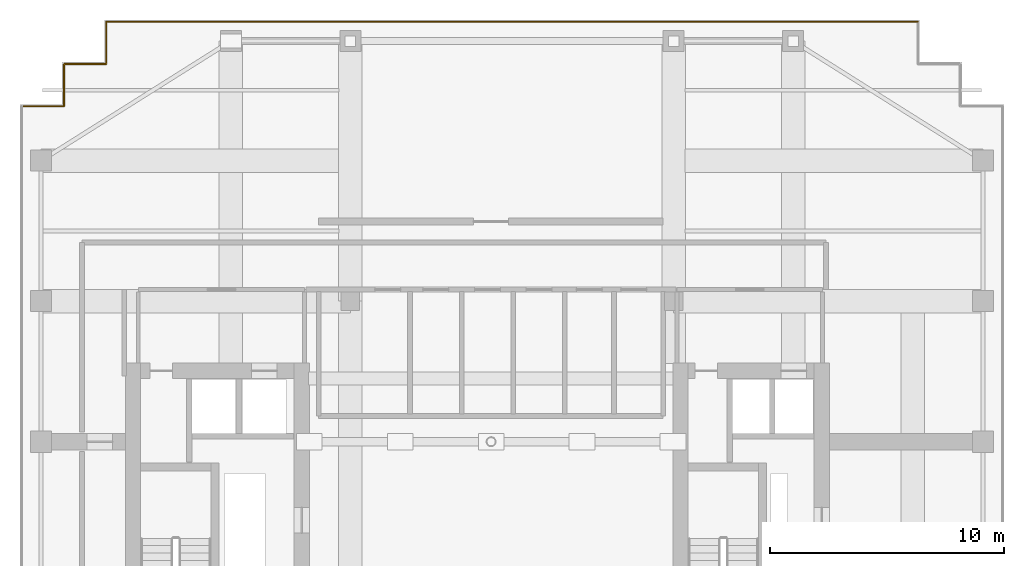
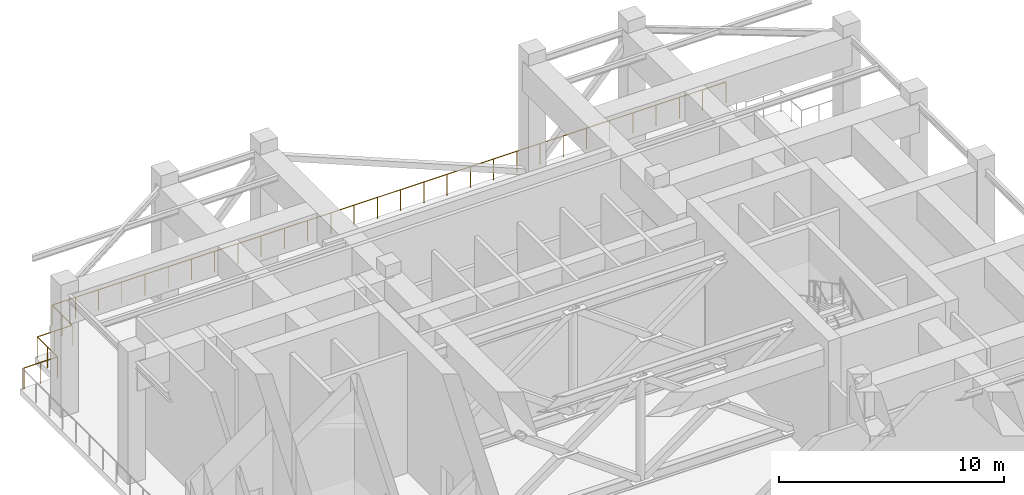
# One storey, part 9 of 9: 1 railing.
"""IFC4 building model written with IfcOpenShell, lengths in metres."""

from ifc_helpers import new_model, si_unit, direction, frame, origin, origin_2d, place, context, subcontext, project, spatial, circle, extrude, material, type_object, element, save


model = new_model("IFC4")

# Units and contexts
model_context = context("Model", 3, precision=1e-05, world=origin(), true_north=direction((0.0, 1.0)))
body_context = subcontext(model_context, "Body", "Model", "MODEL_VIEW")
ifc_project = project(units=[si_unit("LENGTHUNIT", "METRE"), si_unit("AREAUNIT", "SQUARE_METRE"), si_unit("VOLUMEUNIT", "CUBIC_METRE"), si_unit("PLANEANGLEUNIT", "RADIAN"), si_unit("MASSUNIT", "GRAM", prefix="KILO")], contexts=[model_context])

# Site, building, storey
site_placement = place(None, origin())
site = spatial("IfcSite", under=ifc_project, at=site_placement, CompositionType="ELEMENT")
building_placement = place(site_placement, origin())
building = spatial("IfcBuilding", under=site, at=building_placement, Name="Khoralis Quay Care Tower", CompositionType="ELEMENT")
storey_placement = place(building_placement, frame((0.0, 0.0, 220.5)))
storey = spatial("IfcBuildingStorey", under=building, at=storey_placement, Name="L58", CompositionType="ELEMENT", Elevation=220.5)

# Railing
ifc_material = material(Name="Pale anodised aluminium", Category="aluminium")
railing_type = type_object("IfcRailingType", Name="RL-BALUST-1150", PredefinedType="BALUSTRADE", material=ifc_material)
railing_placement = place(storey_placement, frame((41.320068359375, 41.919921875, 0.0)))
element("IfcRailing", 1, at=railing_placement, inside=storey, type_object=railing_type, Name="L58 Open Wind-Slot Portal Perimeter Guard 1.3", PredefinedType="BALUSTRADE", context=body_context, shape_type="SweptSolid", body=[
    extrude(circle(Radius=0.02392578125, at=origin_2d()), frame((0.0, 0.0, 1.1259765625), z_axis=(-1.0, 0.0, 0.0), x_axis=(0.0, -1.0, 0.0)), (0.0, 0.0, 1.0), 34.64013671875),
    extrude(circle(Radius=0.02392578125, at=origin_2d()), frame((-34.64013671875, 0.0, 1.1259765625), z_axis=(0.0, -1.0, 0.0), x_axis=(1.0, 0.0, 0.0)), (0.0, 0.0, 1.0), 1.7998046875),
    extrude(circle(Radius=0.02392578125, at=origin_2d()), frame((-34.64013671875, -1.7998046875, 1.1259765625), z_axis=(-1.0, 0.0, 0.0), x_axis=(0.0, -1.0, 0.0)), (0.0, 0.0, 1.0), 1.800048828125),
    extrude(circle(Radius=0.02392578125, at=origin_2d()), frame((-36.440185546875, -1.7998046875, 1.1259765625), z_axis=(0.0, -1.0, 0.0), x_axis=(1.0, 0.0, 0.0)), (0.0, 0.0, 1.0), 1.800048828125),
    extrude(circle(Radius=0.02392578125, at=origin_2d()), frame((-36.440185546875, -3.599853515625, 1.1259765625), z_axis=(-1.0, 0.0, 0.0), x_axis=(0.0, -1.0, 0.0)), (0.0, 0.0, 1.0), 1.719970703125),
    extrude(circle(Radius=0.02099609375, at=origin_2d()), origin(), (0.0, 0.0, 1.0), 1.101806640625),
    extrude(circle(Radius=0.02099609375, at=origin_2d()), frame((-1.194580078125, 0.0, 0.0)), (0.0, 0.0, 1.0), 1.101806640625),
    extrude(circle(Radius=0.02099609375, at=origin_2d()), frame((-2.388916015625, 0.0, 0.0)), (0.0, 0.0, 1.0), 1.101806640625),
    extrude(circle(Radius=0.02099609375, at=origin_2d()), frame((-3.58349609375, 0.0, 0.0)), (0.0, 0.0, 1.0), 1.101806640625),
    extrude(circle(Radius=0.02099609375, at=origin_2d()), frame((-4.77783203125, 0.0, 0.0)), (0.0, 0.0, 1.0), 1.101806640625),
    extrude(circle(Radius=0.02099609375, at=origin_2d()), frame((-5.972412109375, 0.0, 0.0)), (0.0, 0.0, 1.0), 1.101806640625),
    extrude(circle(Radius=0.02099609375, at=origin_2d()), frame((-7.1669921875, 0.0, 0.0)), (0.0, 0.0, 1.0), 1.101806640625),
    extrude(circle(Radius=0.02099609375, at=origin_2d()), frame((-8.361328125, 0.0, 0.0)), (0.0, 0.0, 1.0), 1.101806640625),
    extrude(circle(Radius=0.02099609375, at=origin_2d()), frame((-9.555908203125, 0.0, 0.0)), (0.0, 0.0, 1.0), 1.101806640625),
    extrude(circle(Radius=0.02099609375, at=origin_2d()), frame((-10.75048828125, 0.0, 0.0)), (0.0, 0.0, 1.0), 1.101806640625),
    extrude(circle(Radius=0.02099609375, at=origin_2d()), frame((-11.94482421875, 0.0, 0.0)), (0.0, 0.0, 1.0), 1.101806640625),
    extrude(circle(Radius=0.02099609375, at=origin_2d()), frame((-13.139404296875, 0.0, 0.0)), (0.0, 0.0, 1.0), 1.101806640625),
    extrude(circle(Radius=0.02099609375, at=origin_2d()), frame((-14.333740234375, 0.0, 0.0)), (0.0, 0.0, 1.0), 1.101806640625),
    extrude(circle(Radius=0.02099609375, at=origin_2d()), frame((-15.5283203125, 0.0, 0.0)), (0.0, 0.0, 1.0), 1.101806640625),
    extrude(circle(Radius=0.02099609375, at=origin_2d()), frame((-16.722900390625, 0.0, 0.0)), (0.0, 0.0, 1.0), 1.101806640625),
    extrude(circle(Radius=0.02099609375, at=origin_2d()), frame((-17.917236328125, 0.0, 0.0)), (0.0, 0.0, 1.0), 1.101806640625),
    extrude(circle(Radius=0.02099609375, at=origin_2d()), frame((-19.11181640625, 0.0, 0.0)), (0.0, 0.0, 1.0), 1.101806640625),
    extrude(circle(Radius=0.02099609375, at=origin_2d()), frame((-20.306396484375, 0.0, 0.0)), (0.0, 0.0, 1.0), 1.101806640625),
    extrude(circle(Radius=0.02099609375, at=origin_2d()), frame((-21.500732421875, 0.0, 0.0)), (0.0, 0.0, 1.0), 1.101806640625),
    extrude(circle(Radius=0.02099609375, at=origin_2d()), frame((-22.6953125, 0.0, 0.0)), (0.0, 0.0, 1.0), 1.101806640625),
    extrude(circle(Radius=0.02099609375, at=origin_2d()), frame((-23.8896484375, 0.0, 0.0)), (0.0, 0.0, 1.0), 1.101806640625),
    extrude(circle(Radius=0.02099609375, at=origin_2d()), frame((-25.084228515625, 0.0, 0.0)), (0.0, 0.0, 1.0), 1.101806640625),
    extrude(circle(Radius=0.02099609375, at=origin_2d()), frame((-26.27880859375, 0.0, 0.0)), (0.0, 0.0, 1.0), 1.101806640625),
    extrude(circle(Radius=0.02099609375, at=origin_2d()), frame((-27.47314453125, 0.0, 0.0)), (0.0, 0.0, 1.0), 1.101806640625),
    extrude(circle(Radius=0.02099609375, at=origin_2d()), frame((-28.667724609375, 0.0, 0.0)), (0.0, 0.0, 1.0), 1.101806640625),
    extrude(circle(Radius=0.02099609375, at=origin_2d()), frame((-29.8623046875, 0.0, 0.0)), (0.0, 0.0, 1.0), 1.101806640625),
    extrude(circle(Radius=0.02099609375, at=origin_2d()), frame((-31.056640625, 0.0, 0.0)), (0.0, 0.0, 1.0), 1.101806640625),
    extrude(circle(Radius=0.02099609375, at=origin_2d()), frame((-32.251220703125, 0.0, 0.0)), (0.0, 0.0, 1.0), 1.101806640625),
    extrude(circle(Radius=0.02099609375, at=origin_2d()), frame((-33.445556640625, 0.0, 0.0)), (0.0, 0.0, 1.0), 1.101806640625),
    extrude(circle(Radius=0.02099609375, at=origin_2d()), frame((-34.64013671875, 0.0, 0.0)), (0.0, 0.0, 1.0), 1.101806640625),
    extrude(circle(Radius=0.02099609375, at=origin_2d()), frame((-34.64013671875, -0.89990234375, 0.0)), (0.0, 0.0, 1.0), 1.101806640625),
    extrude(circle(Radius=0.02099609375, at=origin_2d()), frame((-34.64013671875, -1.7998046875, 0.0)), (0.0, 0.0, 1.0), 1.101806640625),
    extrude(circle(Radius=0.02099609375, at=origin_2d()), frame((-35.5400390625, -1.7998046875, 0.0)), (0.0, 0.0, 1.0), 1.101806640625),
    extrude(circle(Radius=0.02099609375, at=origin_2d()), frame((-36.440185546875, -1.7998046875, 0.0)), (0.0, 0.0, 1.0), 1.101806640625),
    extrude(circle(Radius=0.02099609375, at=origin_2d()), frame((-36.440185546875, -2.69970703125, 0.0)), (0.0, 0.0, 1.0), 1.101806640625),
    extrude(circle(Radius=0.02099609375, at=origin_2d()), frame((-36.440185546875, -3.599853515625, 0.0)), (0.0, 0.0, 1.0), 1.101806640625),
    extrude(circle(Radius=0.02099609375, at=origin_2d()), frame((-37.30029296875, -3.599853515625, 0.0)), (0.0, 0.0, 1.0), 1.101806640625),
    extrude(circle(Radius=0.02099609375, at=origin_2d()), frame((-38.16015625, -3.599853515625, 0.0)), (0.0, 0.0, 1.0), 1.101806640625),
])

save(model, "model.ifc")
